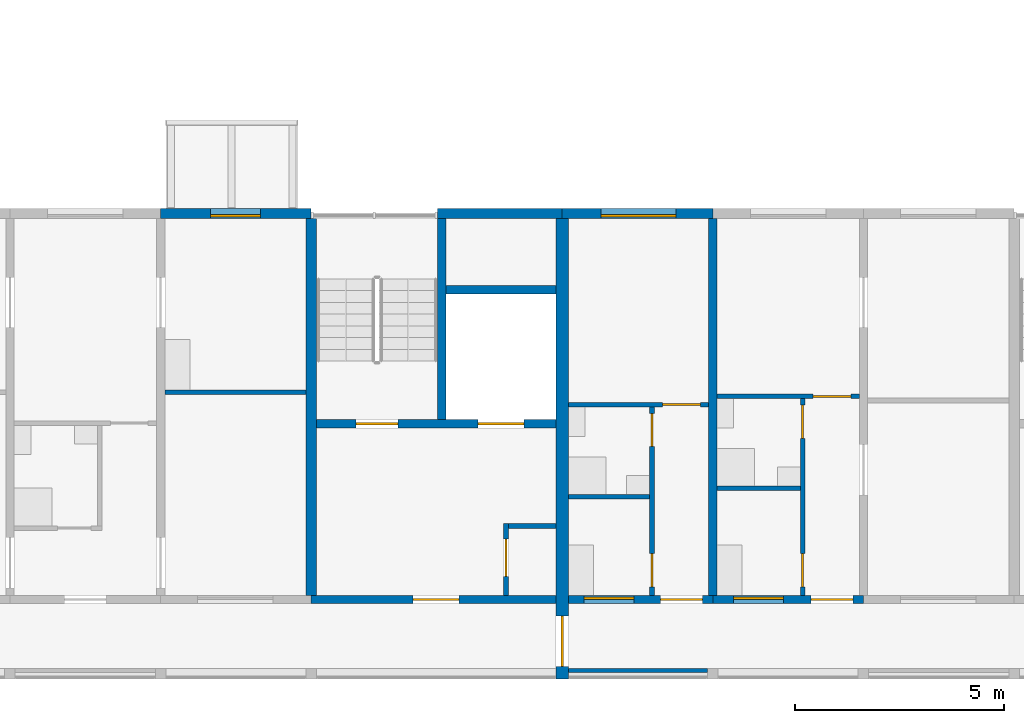
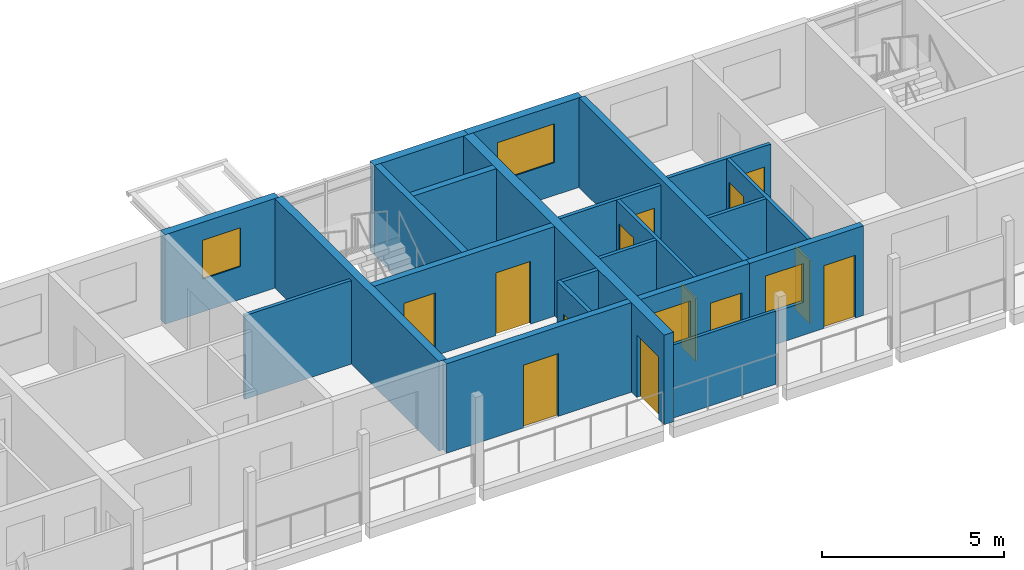
# One storey, part 50 of 87: 22 walls, 13 doors, 4 windows, 17 openings.
"""IFC4 building model written with IfcOpenShell, lengths in metres."""

import ifcopenshell
import ifcopenshell.guid

model = None  # the IFC model being written
_history = None  # IfcOwnerHistory: only IFC2X3 demands one
_inside = {}  # id of a spatial element -> (the spatial element, [elements in it])
_under = {}  # id of a project, library or spatial element -> (it, [spatial elements below it])
_declared = {}  # id of a project -> (the project, [libraries it declares])
_typed = {}  # id of a type object -> (the type object, [elements of that type])
_made_of = {}  # id of a material, layer set ... -> (it, [elements and type objects made of it])


def new_model(schema):
    """Start an empty IFC model of exactly this schema.

    Asked for "IFC4X3", IfcOpenShell would pick the latest addendum, in which some entities
    have other attributes; the version numbers below select the first issue.
    IFC2X3 requires an IfcOwnerHistory on every rooted entity: one is made here for all.
    """
    global model, _history
    if schema == "IFC4X3":
        model = ifcopenshell.file(schema_version=(4, 3, 0, 0))
    else:
        model = ifcopenshell.file(schema=schema)
    _inside.clear()
    _under.clear()
    _declared.clear()
    _typed.clear()
    _made_of.clear()
    _history = None
    if model.schema == "IFC2X3":
        org = make("IfcOrganization", Name="unknown")
        user = make(
            "IfcPersonAndOrganization",
            ThePerson=make("IfcPerson", FamilyName="unknown"),
            TheOrganization=org,
        )
        app = make(
            "IfcApplication",
            ApplicationDeveloper=org,
            Version="unknown",
            ApplicationFullName="unknown",
            ApplicationIdentifier="unknown",
        )
        _history = make(
            "IfcOwnerHistory",
            OwningUser=user,
            OwningApplication=app,
            ChangeAction="ADDED",
            CreationDate=0,
        )
    return model


def make(cls, **values):
    """One entity of the class cls with the attributes given. An attribute that is None is left unset."""
    return model.create_entity(
        cls, **{name: value for name, value in values.items() if value is not None}
    )


def rooted(cls, **values):
    """An entity with a GlobalId (a new one), such as an element, a storey or a relation."""
    return make(cls, GlobalId=ifcopenshell.guid.new(), OwnerHistory=_history, **values)


def si_unit(unit_type, name, prefix=None):
    """IfcSIUnit, for example si_unit("LENGTHUNIT", "METRE", prefix="MILLI")."""
    return make("IfcSIUnit", UnitType=unit_type, Prefix=prefix, Name=name)


def assignment(units):
    """IfcUnitAssignment: the units of a project."""
    return None if units is None else make("IfcUnitAssignment", Units=units)


def point(xyz):
    """IfcCartesianPoint."""
    return None if xyz is None else make("IfcCartesianPoint", Coordinates=xyz)


def direction(xyz):
    """IfcDirection."""
    return None if xyz is None else make("IfcDirection", DirectionRatios=xyz)


def frame(location, z_axis=None, x_axis=None):
    """IfcAxis2Placement3D, a coordinate frame: its origin and axes. An axis left out is left unset."""
    return make(
        "IfcAxis2Placement3D",
        Location=point(location),
        Axis=direction(z_axis),
        RefDirection=direction(x_axis),
    )


def frame_2d(location, x_axis=None):
    """IfcAxis2Placement2D, a coordinate frame in the plane: its origin and x axis."""
    return make(
        "IfcAxis2Placement2D", Location=point(location), RefDirection=direction(x_axis)
    )


def origin():
    """The frame at (0, 0, 0) with its axes left unset."""
    return frame((0.0, 0.0, 0.0))


def place(relative_to, where):
    """IfcLocalPlacement: puts the frame where relative to a parent placement (None: the world)."""
    return make(
        "IfcLocalPlacement", PlacementRelTo=relative_to, RelativePlacement=where
    )


def context(
    kind, dimensions, precision=None, world=None, true_north=None, identifier=None
):
    """IfcGeometricRepresentationContext, for example the 3D "Model" context."""
    return make(
        "IfcGeometricRepresentationContext",
        ContextIdentifier=identifier,
        ContextType=kind,
        CoordinateSpaceDimension=dimensions,
        Precision=precision,
        WorldCoordinateSystem=world,
        TrueNorth=true_north,
    )


def subcontext(parent, identifier, kind, view, scale=None):
    """IfcGeometricRepresentationSubContext, for example "Body" below "Model"."""
    return make(
        "IfcGeometricRepresentationSubContext",
        ContextIdentifier=identifier,
        ContextType=kind,
        ParentContext=parent,
        TargetScale=scale,
        TargetView=view,
    )


def project(units=None, contexts=None):
    """IfcProject with its units and contexts."""
    return rooted(
        "IfcProject",
        Name="project",
        RepresentationContexts=contexts,
        UnitsInContext=assignment(units),
    )


def spatial(cls, under=None, at=None, **own):
    """A site, building, storey or space (cls), placed at a placement, below another one or the project."""
    s = rooted(cls, ObjectPlacement=at, **own)
    if under is not None:
        _under.setdefault(under.id(), (under, []))[1].append(s)
    return s


def profile(cls, at=None, kind="AREA", **sizes):
    """A parametric profile (cls). Its sizes go by their IFC names, for example OverallWidth=200.0."""
    return make(cls, ProfileType=kind, Position=at, **sizes)


def rectangle(**sizes):
    """IfcRectangleProfileDef."""
    return profile("IfcRectangleProfileDef", **sizes)


def extrude(swept, where, along, depth):
    """IfcExtrudedAreaSolid: the profile swept, set in the frame where, extruded along a direction by depth."""
    return make(
        "IfcExtrudedAreaSolid",
        SweptArea=swept,
        Position=where,
        ExtrudedDirection=direction(along),
        Depth=depth,
    )


def shape(context_of_items, identifier, shape_type, items):
    """IfcShapeRepresentation: the items that make up one representation, for example the "Body"."""
    return make(
        "IfcShapeRepresentation",
        ContextOfItems=context_of_items,
        RepresentationIdentifier=identifier,
        RepresentationType=shape_type,
        Items=items,
    )


def material(Name=None, Category=None):
    """IfcMaterial."""
    return make("IfcMaterial", Name=Name, Category=Category)


def layer(
    of_material, thickness, ventilated=None, Name=None, Category=None, Priority=None
):
    """IfcMaterialLayer: one layer of a wall or slab, of a material (None: an air gap)."""
    return make(
        "IfcMaterialLayer",
        Material=of_material,
        LayerThickness=thickness,
        IsVentilated=ventilated,
        Name=Name,
        Category=Category,
        Priority=Priority,
    )


def layer_set(layers, Name=None):
    """IfcMaterialLayerSet."""
    return make("IfcMaterialLayerSet", MaterialLayers=layers, LayerSetName=Name)


def made_of(thing, what):
    """Note that an element or type object is made of a material, layer set ...; save() writes the relation."""
    if what is not None:
        _made_of.setdefault(what.id(), (what, []))[1].append(thing)
    return thing


def type_object(cls, material=None, **own):
    """A type object (cls), such as IfcWallType, which elements share."""
    return made_of(rooted(cls, **own), material)


def element(
    cls,
    number,
    at=None,
    inside=None,
    cuts=None,
    type_object=None,
    material=None,
    context=None,
    identifier="Body",
    shape_type=None,
    held_by="IfcProductDefinitionShape",
    body=None,
    shapes=None,
    **own,
):
    """One element of the class cls, such as IfcWall. Its Tag is "e" and its number.

    at: its placement. inside: the storey or other place that contains it. cuts: it is an
    opening in that element (IfcRelVoidsElement). A single representation is given by context,
    identifier, shape_type and body (its items); several are given by shapes. held_by: the class
    of the entity that holds the representations. save() writes the other relations.
    """
    e = rooted(cls, Tag="e%d" % number, ObjectPlacement=at, **own)
    if body is not None:
        shapes = [shape(context, identifier, shape_type, body)]
    if shapes is not None:
        e.Representation = make(held_by, Representations=shapes)
    if inside is not None:
        _inside.setdefault(inside.id(), (inside, []))[1].append(e)
    if cuts is not None:
        rooted(
            "IfcRelVoidsElement", RelatingBuildingElement=cuts, RelatedOpeningElement=e
        )
    if type_object is not None:
        _typed.setdefault(type_object.id(), (type_object, []))[1].append(e)
    return made_of(e, material)


def fill(opening, filler):
    """IfcRelFillsElement: the door or window that sits in an opening."""
    return rooted(
        "IfcRelFillsElement",
        RelatingOpeningElement=opening,
        RelatedBuildingElement=filler,
    )


def aggregate(whole, parts):
    """IfcRelAggregates: a whole, such as a stair, and the parts it consists of."""
    return rooted("IfcRelAggregates", RelatingObject=whole, RelatedObjects=parts)


def save(model, path):
    """Write the relations noted so far, then the file.

    IfcRelAggregates (storeys below a building ...), IfcRelContainedInSpatialStructure (elements
    in a storey), IfcRelDefinesByType, IfcRelAssociatesMaterial and IfcRelDeclares: one each for
    every whole, place, type object, material and project.
    """
    for whole, parts in _under.values():
        aggregate(whole, parts)
    for where, things in _inside.values():
        rooted(
            "IfcRelContainedInSpatialStructure",
            RelatedElements=things,
            RelatingStructure=where,
        )
    for kind, things in _typed.values():
        rooted("IfcRelDefinesByType", RelatedObjects=things, RelatingType=kind)
    for what, things in _made_of.values():
        rooted("IfcRelAssociatesMaterial", RelatedObjects=things, RelatingMaterial=what)
    for by, libraries in _declared.values():
        rooted("IfcRelDeclares", RelatingContext=by, RelatedDefinitions=libraries)
    model.write(path)


model = new_model("IFC4")

# Units and contexts
model_context = context("Model", 3, precision=1e-05, world=origin(), true_north=direction((0.0, 1.0)))
body_context = subcontext(model_context, "Body", "Model", "MODEL_VIEW")
ifc_project = project(units=[si_unit("LENGTHUNIT", "METRE"), si_unit("AREAUNIT", "SQUARE_METRE"), si_unit("VOLUMEUNIT", "CUBIC_METRE"), si_unit("PLANEANGLEUNIT", "RADIAN"), si_unit("MASSUNIT", "GRAM", prefix="KILO")], contexts=[model_context])

# Site, building, storey
site_placement = place(None, origin())
site = spatial("IfcSite", under=ifc_project, at=site_placement, CompositionType="ELEMENT")
building_placement = place(site_placement, origin())
building = spatial("IfcBuilding", under=site, at=building_placement, Name="Ridgestep Commons", CompositionType="ELEMENT")
storey_placement = place(building_placement, frame((0.0, 0.0, 27.0)))
storey = spatial("IfcBuildingStorey", under=building, at=storey_placement, Name="L09", CompositionType="ELEMENT", Elevation=27.0)

# Wall
ifc_material_1 = material(Name="Concrete C30/37", Category="concrete")
ifc_layer_1 = layer(ifc_material_1, 0.25)
ifc_layer_set_1 = layer_set([ifc_layer_1], Name="Core cross wall 250")
wall_type_1 = type_object("IfcWallType", Name="Core cross wall 250", PredefinedType="SHEAR", material=ifc_layer_set_1)
wall_1_placement = place(storey_placement, frame((191.199951171875, 13.75, 0.0), z_axis=(0.0, 0.0, 1.0), x_axis=(0.0, 1.0, 0.0)))
element("IfcWall", 1, at=wall_1_placement, inside=storey, type_object=wall_type_1, Name="Cross wall D-09-1912", PredefinedType="SHEAR", context=body_context, shape_type="SweptSolid", body=[
    extrude(rectangle(XDim=9.0, YDim=0.25, at=frame_2d((4.5, 0.0))), origin(), (0.0, 0.0, 1.0), 3.0),
])

# Wall, opening, door
ifc_material_2 = material(Name="Concrete C30/37", Category="concrete")
ifc_layer_2 = layer(ifc_material_2, 0.199951171875)
ifc_layer_set_2 = layer_set([ifc_layer_2], Name="Core south wall 200")
wall_type_2 = type_object("IfcWallType", Name="Core south wall 200", PredefinedType="SHEAR", material=ifc_layer_set_2)
wall_2_placement = place(storey_placement, frame((191.199951171875, 13.64990234375, 0.0), z_axis=(0.0, 0.0, 1.0), x_axis=(1.0, 0.0, 0.0)))
wall_2 = element("IfcWall", 2, at=wall_2_placement, inside=storey, type_object=wall_type_2, Name="Core south wall D3C L09", PredefinedType="SHEAR", context=body_context, shape_type="SweptSolid", body=[
    extrude(rectangle(XDim=5.85009765625, YDim=0.199951171875, at=frame_2d((2.925048828125, 0.0))), origin(), (0.0, 0.0, 1.0), 3.0),
])
opening_1_placement = place(wall_2_placement, frame((2.4375, 0.0, 0.0)))
opening_1 = element("IfcOpeningElement", 3, at=opening_1_placement, cuts=wall_2, Name="Opening D3C/09/1", PredefinedType="OPENING", context=body_context, shape_type="SweptSolid", body=[
    extrude(rectangle(XDim=1.10009765625, YDim=2.10009765625, at=frame_2d((0.550048828125, 1.050048828125))), frame((0.0, 0.10986328125, 0.0), z_axis=(0.0, -1.0, 0.0), x_axis=(1.0, 0.0, 0.0)), (0.0, 0.0, 1.0), 0.219970703125),
])
ifc_material_3 = material(Name="Steel fire door", Category="steel")
door_type_1 = type_object("IfcDoorType", Name="Lobby door 1100 x 2100 FD60", OperationType="NOTDEFINED", PredefinedType="DOOR", material=ifc_material_3)
door_1_placement = place(opening_1_placement, origin())
door_1 = element("IfcDoor", 4, at=door_1_placement, inside=storey, type_object=door_type_1, Name="Lobby door D3C/09/1", OperationType="SINGLE_SWING_LEFT", OverallHeight=2.10009765625, OverallWidth=1.10009765625, PredefinedType="DOOR", context=body_context, shape_type="SweptSolid", body=[
    extrude(rectangle(XDim=1.10009765625, YDim=2.10009765625, at=frame_2d((0.550048828125, 1.050048828125))), frame((0.0, 0.02490234375, 0.0), z_axis=(0.0, -1.0, 0.0), x_axis=(1.0, 0.0, 0.0)), (0.0, 0.0, 1.0), 0.050048828125),
])
fill(opening_1, door_1)

ifc_material_4 = material(Name="Concrete C30/37", Category="concrete")
ifc_layer_3 = layer(ifc_material_4, 0.1201171875)
ifc_layer_set_3 = layer_set([ifc_layer_3], Name="Core wall 120")
wall_type_3 = type_object("IfcWallType", Name="Core wall 120", PredefinedType="SHEAR", material=ifc_layer_set_3)
wall_3_placement = place(storey_placement, frame((195.860107421875, 13.75, 0.0), z_axis=(0.0, 0.0, 1.0), x_axis=(0.0, 1.0, 0.0)))
wall_3 = element("IfcWall", 5, at=wall_3_placement, inside=storey, type_object=wall_type_3, Name="Core riser w wall D3C L09", PredefinedType="SHEAR", context=body_context, shape_type="SweptSolid", body=[
    extrude(rectangle(XDim=1.719970703125, YDim=0.1201171875, at=frame_2d((0.85986328125, 0.0))), origin(), (0.0, 0.0, 1.0), 3.0),
])
opening_2_placement = place(wall_3_placement, frame((0.449951171875, 0.0, 0.0)))
opening_2 = element("IfcOpeningElement", 6, at=opening_2_placement, cuts=wall_3, Name="Opening D3C/09/4", PredefinedType="OPENING", context=body_context, shape_type="SweptSolid", body=[
    extrude(rectangle(XDim=0.89990234375, YDim=2.10009765625, at=frame_2d((0.449951171875, 1.050048828125))), frame((0.0, 0.070068359375, 0.0), z_axis=(0.0, -1.0, 0.0), x_axis=(1.0, 0.0, 0.0)), (0.0, 0.0, 1.0), 0.14013671875),
])
ifc_material_5 = material(Name="Steel fire door", Category="steel")
door_type_2 = type_object("IfcDoorType", Name="Riser door 900 x 2100 FD60", OperationType="NOTDEFINED", PredefinedType="DOOR", material=ifc_material_5)
door_2_placement = place(opening_2_placement, origin())
door_2 = element("IfcDoor", 7, at=door_2_placement, inside=storey, type_object=door_type_2, Name="Riser door D3C/09/4", OperationType="SINGLE_SWING_LEFT", OverallHeight=2.10009765625, OverallWidth=0.89990234375, PredefinedType="DOOR", context=body_context, shape_type="SweptSolid", body=[
    extrude(rectangle(XDim=0.89990234375, YDim=2.10009765625, at=frame_2d((0.449951171875, 1.050048828125))), frame((0.0, 0.02490234375, 0.0), z_axis=(0.0, -1.0, 0.0), x_axis=(1.0, 0.0, 0.0)), (0.0, 0.0, 1.0), 0.050048828125),
])
fill(opening_2, door_2)

# Wall
wall_4_placement = place(storey_placement, frame((195.919921875, 15.409912109375, 0.0), z_axis=(0.0, 0.0, 1.0), x_axis=(1.0, 0.0, 0.0)))
element("IfcWall", 8, at=wall_4_placement, inside=storey, type_object=wall_type_3, Name="Core riser n wall D3C L09", PredefinedType="SHEAR", context=body_context, shape_type="SweptSolid", body=[
    extrude(rectangle(XDim=1.130126953125, YDim=0.1201171875, at=frame_2d((0.56494140625, 0.0))), origin(), (0.0, 0.0, 1.0), 3.0),
])

# Wall, openings, doors
ifc_material_6 = material(Name="Concrete C30/37", Category="concrete")
ifc_layer_4 = layer(ifc_material_6, 0.199951171875)
ifc_layer_set_4 = layer_set([ifc_layer_4], Name="Core wall 200")
wall_type_4 = type_object("IfcWallType", Name="Core wall 200", PredefinedType="SHEAR", material=ifc_layer_set_4)
wall_5_placement = place(storey_placement, frame((191.324951171875, 17.85009765625, 0.0), z_axis=(0.0, 0.0, 1.0), x_axis=(1.0, 0.0, 0.0)))
wall_5 = element("IfcWall", 9, at=wall_5_placement, inside=storey, type_object=wall_type_4, Name="Core lobby wall D3C L09", PredefinedType="SHEAR", context=body_context, shape_type="SweptSolid", body=[
    extrude(rectangle(XDim=5.72509765625, YDim=0.199951171875, at=frame_2d((2.862548828125, 0.0))), origin(), (0.0, 0.0, 1.0), 3.0),
])
opening_3_placement = place(wall_5_placement, frame((0.949951171875, 0.0, 0.0)))
opening_3 = element("IfcOpeningElement", 10, at=opening_3_placement, cuts=wall_5, Name="Opening D3C/09/2", PredefinedType="OPENING", context=body_context, shape_type="SweptSolid", body=[
    extrude(rectangle(XDim=1.0, YDim=2.10009765625, at=frame_2d((0.5, 1.050048828125))), frame((0.0, 0.10986328125, 0.0), z_axis=(0.0, -1.0, 0.0), x_axis=(1.0, 0.0, 0.0)), (0.0, 0.0, 1.0), 0.219970703125),
])
opening_4_placement = place(wall_5_placement, frame((3.862548828125, 0.0, 0.0)))
opening_4 = element("IfcOpeningElement", 11, at=opening_4_placement, cuts=wall_5, Name="Opening D3C/09/3", PredefinedType="OPENING", context=body_context, shape_type="SweptSolid", body=[
    extrude(rectangle(XDim=1.10009765625, YDim=2.10009765625, at=frame_2d((0.550048828125, 1.050048828125))), frame((0.0, 0.10986328125, 0.0), z_axis=(0.0, -1.0, 0.0), x_axis=(1.0, 0.0, 0.0)), (0.0, 0.0, 1.0), 0.219970703125),
])
ifc_material_7 = material(Name="Stainless steel", Category="steel")
door_type_3 = type_object("IfcDoorType", Name="Lift landing door 1100 x 2100 FD60", OperationType="DOUBLE_DOOR_SLIDING", PredefinedType="DOOR", material=ifc_material_7)
door_3_placement = place(opening_4_placement, origin())
door_3 = element("IfcDoor", 12, at=door_3_placement, inside=storey, type_object=door_type_3, Name="Landing door LD D3C L09", OperationType="DOUBLE_DOOR_SLIDING", OverallHeight=2.10009765625, OverallWidth=1.10009765625, PredefinedType="DOOR", context=body_context, shape_type="SweptSolid", body=[
    extrude(rectangle(XDim=1.10009765625, YDim=2.10009765625, at=frame_2d((0.550048828125, 1.050048828125))), frame((0.0, 0.02490234375, 0.0), z_axis=(0.0, -1.0, 0.0), x_axis=(1.0, 0.0, 0.0)), (0.0, 0.0, 1.0), 0.050048828125),
])
fill(opening_4, door_3)
ifc_material_8 = material(Name="Steel fire door", Category="steel")
door_type_4 = type_object("IfcDoorType", Name="Stair door 1000 x 2100 FD60", OperationType="NOTDEFINED", PredefinedType="DOOR", material=ifc_material_8)
door_4_placement = place(opening_3_placement, origin())
door_4 = element("IfcDoor", 13, at=door_4_placement, inside=storey, type_object=door_type_4, Name="Stair door D3C/09/2", OperationType="SINGLE_SWING_RIGHT", OverallHeight=2.10009765625, OverallWidth=1.0, PredefinedType="DOOR", context=body_context, shape_type="SweptSolid", body=[
    extrude(rectangle(XDim=1.0, YDim=2.10009765625, at=frame_2d((0.5, 1.050048828125))), frame((0.0, 0.02490234375, 0.0), z_axis=(0.0, -1.0, 0.0), x_axis=(1.0, 0.0, 0.0)), (0.0, 0.0, 1.0), 0.050048828125),
])
fill(opening_3, door_4)

# Walls
wall_6_placement = place(storey_placement, frame((194.324951171875, 17.949951171875, 0.0), z_axis=(0.0, 0.0, 1.0), x_axis=(0.0, 1.0, 0.0)))
element("IfcWall", 14, at=wall_6_placement, inside=storey, type_object=wall_type_4, Name="Core stair wall D3C L09", PredefinedType="SHEAR", context=body_context, shape_type="SweptSolid", body=[
    extrude(rectangle(XDim=4.800048828125, YDim=0.199951171875, at=frame_2d((2.39990234375, 0.0))), origin(), (0.0, 0.0, 1.0), 3.0),
])
wall_7_placement = place(storey_placement, frame((194.425048828125, 21.050048828125, 0.0), z_axis=(0.0, 0.0, 1.0), x_axis=(1.0, 0.0, 0.0)))
element("IfcWall", 15, at=wall_7_placement, inside=storey, type_object=wall_type_4, Name="Core duct wall D3C L09", PredefinedType="SHEAR", context=body_context, shape_type="SweptSolid", body=[
    extrude(rectangle(XDim=2.625, YDim=0.199951171875, at=frame_2d((1.3125, 0.0))), origin(), (0.0, 0.0, 1.0), 3.0),
])
ifc_material_9 = material(Name="Precast concrete C40/50", Category="concrete")
ifc_layer_5 = layer(ifc_material_9, 0.199951171875)
ifc_layer_set_5 = layer_set([ifc_layer_5], Name="Cross wall 200")
wall_type_5 = type_object("IfcWallType", Name="Cross wall 200", PredefinedType="SHEAR", material=ifc_layer_set_5)
wall_8_placement = place(storey_placement, frame((200.800048828125, 13.75, 0.0), z_axis=(0.0, 0.0, 1.0), x_axis=(0.0, 1.0, 0.0)))
element("IfcWall", 16, at=wall_8_placement, inside=storey, type_object=wall_type_5, Name="Cross wall D-09-2008", PredefinedType="SHEAR", context=body_context, shape_type="SweptSolid", body=[
    extrude(rectangle(XDim=9.0, YDim=0.199951171875, at=frame_2d((4.5, 0.0))), origin(), (0.0, 0.0, 1.0), 3.0),
])

# Wall, opening, door
ifc_material_10 = material(Name="Precast concrete C40/50", Category="concrete")
ifc_layer_6 = layer(ifc_material_10, 0.300048828125)
ifc_layer_set_6 = layer_set([ifc_layer_6], Name="Division wall 300")
wall_type_6 = type_object("IfcWallType", Name="Division wall 300", PredefinedType="SHEAR", material=ifc_layer_set_6)
wall_9_placement = place(storey_placement, frame((197.199951171875, 11.75, 0.0), z_axis=(0.0, 0.0, 1.0), x_axis=(0.0, 1.0, 0.0)))
wall_9 = element("IfcWall", 17, at=wall_9_placement, inside=storey, type_object=wall_type_6, Name="Cross wall D-09-1972", PredefinedType="SHEAR", context=body_context, shape_type="SweptSolid", body=[
    extrude(rectangle(XDim=11.0, YDim=0.300048828125, at=frame_2d((5.5, 0.0))), origin(), (0.0, 0.0, 1.0), 3.0),
])
opening_5_placement = place(wall_9_placement, frame((0.300048828125, 0.0, 0.0)))
opening_5 = element("IfcOpeningElement", 18, at=opening_5_placement, cuts=wall_9, Name="Opening D/09/G1972", PredefinedType="OPENING", context=body_context, shape_type="SweptSolid", body=[
    extrude(rectangle(XDim=1.199951171875, YDim=2.10009765625, at=frame_2d((0.60009765625, 1.050048828125))), frame((0.0, 0.159912109375, 0.0), z_axis=(0.0, -1.0, 0.0), x_axis=(1.0, 0.0, 0.0)), (0.0, 0.0, 1.0), 0.320068359375),
])
ifc_material_11 = material(Name="Steel fire door", Category="steel")
door_type_5 = type_object("IfcDoorType", Name="Division fire door 1200 x 2100 EI 240", OperationType="DOUBLE_DOOR_SINGLE_SWING", PredefinedType="DOOR", material=ifc_material_11)
door_5_placement = place(opening_5_placement, origin())
door_5 = element("IfcDoor", 19, at=door_5_placement, inside=storey, type_object=door_type_5, Name="Division fire door D/09/G1972", OperationType="DOUBLE_DOOR_SINGLE_SWING", OverallHeight=2.10009765625, OverallWidth=1.199951171875, PredefinedType="DOOR", context=body_context, shape_type="SweptSolid", body=[
    extrude(rectangle(XDim=1.199951171875, YDim=2.10009765625, at=frame_2d((0.60009765625, 1.050048828125))), frame((0.0, 0.02490234375, 0.0), z_axis=(0.0, -1.0, 0.0), x_axis=(1.0, 0.0, 0.0)), (0.0, 0.0, 1.0), 0.050048828125),
])
fill(opening_5, door_5)

# Wall, opening, window
ifc_material_12 = material(Name="Precast concrete C40/50", Category="concrete")
ifc_layer_7 = layer(ifc_material_12, 0.25)
ifc_layer_set_7 = layer_set([ifc_layer_7], Name="North facade panel 250")
wall_type_7 = type_object("IfcWallType", Name="North facade panel 250", PredefinedType="SOLIDWALL", material=ifc_layer_set_7)
wall_10_placement = place(storey_placement, frame((187.60009765625, 22.875, 0.0), z_axis=(0.0, 0.0, 1.0), x_axis=(1.0, 0.0, 0.0)))
wall_10 = element("IfcWall", 20, at=wall_10_placement, inside=storey, type_object=wall_type_7, Name="North panel D3T3 L09", PredefinedType="SOLIDWALL", context=body_context, shape_type="SweptSolid", body=[
    extrude(rectangle(XDim=3.599853515625, YDim=0.25, at=frame_2d((1.7998046875, 0.0))), origin(), (0.0, 0.0, 1.0), 3.0),
])
opening_6_placement = place(wall_10_placement, frame((1.1875, 0.0, 1.10009765625)))
opening_6 = element("IfcOpeningElement", 21, at=opening_6_placement, cuts=wall_10, Name="Opening W08", PredefinedType="OPENING", context=body_context, shape_type="SweptSolid", body=[
    extrude(rectangle(XDim=1.199951171875, YDim=1.300048828125, at=frame_2d((0.60009765625, 0.64990234375))), frame((0.0, 0.135009765625, 0.0), z_axis=(0.0, -1.0, 0.0), x_axis=(1.0, 0.0, 0.0)), (0.0, 0.0, 1.0), 0.27001953125),
])
ifc_material_13 = material(Name="Aluminium 6063-T6 and glass", Category="aluminium")
window_type_1 = type_object("IfcWindowType", Name="Flat window 1200 x 1300", PartitioningType="SINGLE_PANEL", PredefinedType="WINDOW", material=ifc_material_13)
window_1_placement = place(opening_6_placement, origin())
window_1 = element("IfcWindow", 22, at=window_1_placement, inside=storey, type_object=window_type_1, Name="Window D3-09a 4", OverallHeight=1.300048828125, OverallWidth=1.199951171875, PartitioningType="SINGLE_PANEL", PredefinedType="WINDOW", context=body_context, shape_type="SweptSolid", body=[
    extrude(rectangle(XDim=1.199951171875, YDim=1.300048828125, at=frame_2d((0.60009765625, 0.64990234375))), frame((0.0, -0.02490234375, 0.0), z_axis=(0.0, -1.0, 0.0), x_axis=(1.0, 0.0, 0.0)), (0.0, 0.0, 1.0), 0.06005859375),
])
fill(opening_6, window_1)

# Wall
wall_11_placement = place(storey_placement, frame((194.22509765625, 22.875, 0.0), z_axis=(0.0, 0.0, 1.0), x_axis=(1.0, 0.0, 0.0)))
element("IfcWall", 23, at=wall_11_placement, inside=storey, type_object=wall_type_7, Name="North panel D3C L09", PredefinedType="SOLIDWALL", context=body_context, shape_type="SweptSolid", body=[
    extrude(rectangle(XDim=2.974853515625, YDim=0.25, at=frame_2d((1.4873046875, 0.0))), origin(), (0.0, 0.0, 1.0), 3.0),
])

# Wall, opening, window
wall_12_placement = place(storey_placement, frame((197.199951171875, 22.875, 0.0), z_axis=(0.0, 0.0, 1.0), x_axis=(1.0, 0.0, 0.0)))
wall_12 = element("IfcWall", 24, at=wall_12_placement, inside=storey, type_object=wall_type_7, Name="North panel D4T1 L09", PredefinedType="SOLIDWALL", context=body_context, shape_type="SweptSolid", body=[
    extrude(rectangle(XDim=3.60009765625, YDim=0.25, at=frame_2d((1.800048828125, 0.0))), origin(), (0.0, 0.0, 1.0), 3.0),
])
opening_7_placement = place(wall_12_placement, frame((0.925048828125, 0.0, 1.10009765625)))
opening_7 = element("IfcOpeningElement", 25, at=opening_7_placement, cuts=wall_12, Name="Opening W18", PredefinedType="OPENING", context=body_context, shape_type="SweptSolid", body=[
    extrude(rectangle(XDim=1.800048828125, YDim=1.300048828125, at=frame_2d((0.89990234375, 0.64990234375))), frame((0.0, 0.135009765625, 0.0), z_axis=(0.0, -1.0, 0.0), x_axis=(1.0, 0.0, 0.0)), (0.0, 0.0, 1.0), 0.27001953125),
])
ifc_material_14 = material(Name="Aluminium 6063-T6 and glass", Category="aluminium")
window_type_2 = type_object("IfcWindowType", Name="Flat window 1800 x 1300", PartitioningType="DOUBLE_PANEL_VERTICAL", PredefinedType="WINDOW", material=ifc_material_14)
window_2_placement = place(opening_7_placement, origin())
window_2 = element("IfcWindow", 26, at=window_2_placement, inside=storey, type_object=window_type_2, Name="Window D4-09a 2", OverallHeight=1.300048828125, OverallWidth=1.800048828125, PartitioningType="SINGLE_PANEL", PredefinedType="WINDOW", context=body_context, shape_type="SweptSolid", body=[
    extrude(rectangle(XDim=1.800048828125, YDim=1.300048828125, at=frame_2d((0.89990234375, 0.64990234375))), frame((0.0, -0.02490234375, 0.0), z_axis=(0.0, -1.0, 0.0), x_axis=(1.0, 0.0, 0.0)), (0.0, 0.0, 1.0), 0.06005859375),
])
fill(opening_7, window_2)

# Walls
ifc_material_15 = material(Name="Common brick 110 mm", Category="masonry")
ifc_layer_8 = layer(ifc_material_15, 0.110107421875)
ifc_layer_set_8 = layer_set([ifc_layer_8], Name="Partition 110")
wall_type_8 = type_object("IfcWallType", Name="Partition 110", PredefinedType="PARTITIONING", material=ifc_layer_set_8)
wall_13_placement = place(storey_placement, frame((187.699951171875, 18.60498046875, 0.0), z_axis=(0.0, 0.0, 1.0), x_axis=(1.0, 0.0, 0.0)))
element("IfcWall", 27, at=wall_13_placement, inside=storey, type_object=wall_type_8, Name="Partition D3-09a", PredefinedType="PARTITIONING", context=body_context, shape_type="SweptSolid", body=[
    extrude(rectangle(XDim=3.375, YDim=0.110107421875, at=frame_2d((1.6875, 0.0))), origin(), (0.0, 0.0, 1.0), 2.800048828125),
])
wall_14_placement = place(storey_placement, frame((197.35009765625, 16.10498046875, 0.0), z_axis=(0.0, 0.0, 1.0), x_axis=(1.0, 0.0, 0.0)))
element("IfcWall", 28, at=wall_14_placement, inside=storey, type_object=wall_type_8, Name="Partition D4-09a", PredefinedType="PARTITIONING", context=body_context, shape_type="SweptSolid", body=[
    extrude(rectangle(XDim=1.93994140625, YDim=0.110107421875, at=frame_2d((0.969970703125, 0.0))), origin(), (0.0, 0.0, 1.0), 2.800048828125),
])

# Wall, openings, doors
wall_15_placement = place(storey_placement, frame((199.344970703125, 13.75, 0.0), z_axis=(0.0, 0.0, 1.0), x_axis=(0.0, 1.0, 0.0)))
wall_15 = element("IfcWall", 29, at=wall_15_placement, inside=storey, type_object=wall_type_8, Name="Partition D4-09a", PredefinedType="PARTITIONING", context=body_context, shape_type="SweptSolid", body=[
    extrude(rectangle(XDim=4.5, YDim=0.110107421875, at=frame_2d((2.25, 0.0))), origin(), (0.0, 0.0, 1.0), 2.800048828125),
])
opening_8_placement = place(wall_15_placement, frame((0.199951171875, 0.0, 0.0)))
opening_8 = element("IfcOpeningElement", 30, at=opening_8_placement, cuts=wall_15, Name="Opening D4-09a/2", PredefinedType="OPENING", context=body_context, shape_type="SweptSolid", body=[
    extrude(rectangle(XDim=0.800048828125, YDim=2.10009765625, at=frame_2d((0.39990234375, 1.050048828125))), frame((0.0, 0.06494140625, 0.0), z_axis=(0.0, -1.0, 0.0), x_axis=(1.0, 0.0, 0.0)), (0.0, 0.0, 1.0), 0.130126953125),
])
opening_9_placement = place(wall_15_placement, frame((3.550048828125, 0.0, 0.0)))
opening_9 = element("IfcOpeningElement", 31, at=opening_9_placement, cuts=wall_15, Name="Opening D4-09a/3", PredefinedType="OPENING", context=body_context, shape_type="SweptSolid", body=[
    extrude(rectangle(XDim=0.800048828125, YDim=2.10009765625, at=frame_2d((0.39990234375, 1.050048828125))), frame((0.0, 0.06494140625, 0.0), z_axis=(0.0, -1.0, 0.0), x_axis=(1.0, 0.0, 0.0)), (0.0, 0.0, 1.0), 0.130126953125),
])
ifc_material_16 = material(Name="Timber door leaf", Category="wood")
door_type_6 = type_object("IfcDoorType", Name="Internal door 800 x 2100", OperationType="NOTDEFINED", PredefinedType="DOOR", material=ifc_material_16)
door_6_placement = place(opening_8_placement, origin())
door_6 = element("IfcDoor", 32, at=door_6_placement, inside=storey, type_object=door_type_6, Name="Internal door D4-09a/2", OperationType="SINGLE_SWING_LEFT", OverallHeight=2.10009765625, OverallWidth=0.800048828125, PredefinedType="DOOR", context=body_context, shape_type="SweptSolid", body=[
    extrude(rectangle(XDim=0.800048828125, YDim=2.10009765625, at=frame_2d((0.39990234375, 1.050048828125))), frame((0.0, 0.02490234375, 0.0), z_axis=(0.0, -1.0, 0.0), x_axis=(1.0, 0.0, 0.0)), (0.0, 0.0, 1.0), 0.050048828125),
])
fill(opening_8, door_6)
door_7_placement = place(opening_9_placement, origin())
door_7 = element("IfcDoor", 33, at=door_7_placement, inside=storey, type_object=door_type_6, Name="Internal door D4-09a/3", OperationType="SINGLE_SWING_RIGHT", OverallHeight=2.10009765625, OverallWidth=0.800048828125, PredefinedType="DOOR", context=body_context, shape_type="SweptSolid", body=[
    extrude(rectangle(XDim=0.800048828125, YDim=2.10009765625, at=frame_2d((0.39990234375, 1.050048828125))), frame((0.0, 0.02490234375, 0.0), z_axis=(0.0, -1.0, 0.0), x_axis=(1.0, 0.0, 0.0)), (0.0, 0.0, 1.0), 0.050048828125),
])
fill(opening_9, door_7)

# Wall, opening, door
wall_16_placement = place(storey_placement, frame((197.35009765625, 18.304931640625, 0.0), z_axis=(0.0, 0.0, 1.0), x_axis=(1.0, 0.0, 0.0)))
wall_16 = element("IfcWall", 34, at=wall_16_placement, inside=storey, type_object=wall_type_8, Name="Partition D4-09a", PredefinedType="PARTITIONING", context=body_context, shape_type="SweptSolid", body=[
    extrude(rectangle(XDim=3.349853515625, YDim=0.110107421875, at=frame_2d((1.6748046875, 0.0))), origin(), (0.0, 0.0, 1.0), 2.800048828125),
])
opening_10_placement = place(wall_16_placement, frame((2.25, 0.0, 0.0)))
opening_10 = element("IfcOpeningElement", 35, at=opening_10_placement, cuts=wall_16, Name="Opening D4-09a/4", PredefinedType="OPENING", context=body_context, shape_type="SweptSolid", body=[
    extrude(rectangle(XDim=0.89990234375, YDim=2.10009765625, at=frame_2d((0.449951171875, 1.050048828125))), frame((0.0, 0.06494140625, 0.0), z_axis=(0.0, -1.0, 0.0), x_axis=(1.0, 0.0, 0.0)), (0.0, 0.0, 1.0), 0.130126953125),
])
ifc_material_17 = material(Name="Timber door leaf", Category="wood")
door_type_7 = type_object("IfcDoorType", Name="Internal door 900 x 2100", OperationType="NOTDEFINED", PredefinedType="DOOR", material=ifc_material_17)
door_8_placement = place(opening_10_placement, origin())
door_8 = element("IfcDoor", 36, at=door_8_placement, inside=storey, type_object=door_type_7, Name="Internal door D4-09a/4", OperationType="SINGLE_SWING_LEFT", OverallHeight=2.10009765625, OverallWidth=0.89990234375, PredefinedType="DOOR", context=body_context, shape_type="SweptSolid", body=[
    extrude(rectangle(XDim=0.89990234375, YDim=2.10009765625, at=frame_2d((0.449951171875, 1.050048828125))), frame((0.0, 0.02490234375, 0.0), z_axis=(0.0, -1.0, 0.0), x_axis=(1.0, 0.0, 0.0)), (0.0, 0.0, 1.0), 0.050048828125),
])
fill(opening_10, door_8)

# Wall
wall_17_placement = place(storey_placement, frame((200.89990234375, 16.304931640625, 0.0), z_axis=(0.0, 0.0, 1.0), x_axis=(1.0, 0.0, 0.0)))
element("IfcWall", 37, at=wall_17_placement, inside=storey, type_object=wall_type_8, Name="Partition D4-09b", PredefinedType="PARTITIONING", context=body_context, shape_type="SweptSolid", body=[
    extrude(rectangle(XDim=1.989990234375, YDim=0.110107421875, at=frame_2d((0.9951171875, 0.0))), origin(), (0.0, 0.0, 1.0), 2.800048828125),
])

# Wall, openings, doors
wall_18_placement = place(storey_placement, frame((202.945068359375, 13.75, 0.0), z_axis=(0.0, 0.0, 1.0), x_axis=(0.0, 1.0, 0.0)))
wall_18 = element("IfcWall", 38, at=wall_18_placement, inside=storey, type_object=wall_type_8, Name="Partition D4-09b", PredefinedType="PARTITIONING", context=body_context, shape_type="SweptSolid", body=[
    extrude(rectangle(XDim=4.699951171875, YDim=0.110107421875, at=frame_2d((2.35009765625, 0.0))), origin(), (0.0, 0.0, 1.0), 2.800048828125),
])
opening_11_placement = place(wall_18_placement, frame((0.199951171875, 0.0, 0.0)))
opening_11 = element("IfcOpeningElement", 39, at=opening_11_placement, cuts=wall_18, Name="Opening D4-09b/2", PredefinedType="OPENING", context=body_context, shape_type="SweptSolid", body=[
    extrude(rectangle(XDim=0.800048828125, YDim=2.10009765625, at=frame_2d((0.39990234375, 1.050048828125))), frame((0.0, 0.06494140625, 0.0), z_axis=(0.0, -1.0, 0.0), x_axis=(1.0, 0.0, 0.0)), (0.0, 0.0, 1.0), 0.130126953125),
])
opening_12_placement = place(wall_18_placement, frame((3.75, 0.0, 0.0)))
opening_12 = element("IfcOpeningElement", 40, at=opening_12_placement, cuts=wall_18, Name="Opening D4-09b/3", PredefinedType="OPENING", context=body_context, shape_type="SweptSolid", body=[
    extrude(rectangle(XDim=0.800048828125, YDim=2.10009765625, at=frame_2d((0.39990234375, 1.050048828125))), frame((0.0, 0.06494140625, 0.0), z_axis=(0.0, -1.0, 0.0), x_axis=(1.0, 0.0, 0.0)), (0.0, 0.0, 1.0), 0.130126953125),
])
door_9_placement = place(opening_11_placement, origin())
door_9 = element("IfcDoor", 41, at=door_9_placement, inside=storey, type_object=door_type_6, Name="Internal door D4-09b/2", OperationType="SINGLE_SWING_LEFT", OverallHeight=2.10009765625, OverallWidth=0.800048828125, PredefinedType="DOOR", context=body_context, shape_type="SweptSolid", body=[
    extrude(rectangle(XDim=0.800048828125, YDim=2.10009765625, at=frame_2d((0.39990234375, 1.050048828125))), frame((0.0, 0.02490234375, 0.0), z_axis=(0.0, -1.0, 0.0), x_axis=(1.0, 0.0, 0.0)), (0.0, 0.0, 1.0), 0.050048828125),
])
fill(opening_11, door_9)
door_10_placement = place(opening_12_placement, origin())
door_10 = element("IfcDoor", 42, at=door_10_placement, inside=storey, type_object=door_type_6, Name="Internal door D4-09b/3", OperationType="SINGLE_SWING_RIGHT", OverallHeight=2.10009765625, OverallWidth=0.800048828125, PredefinedType="DOOR", context=body_context, shape_type="SweptSolid", body=[
    extrude(rectangle(XDim=0.800048828125, YDim=2.10009765625, at=frame_2d((0.39990234375, 1.050048828125))), frame((0.0, 0.02490234375, 0.0), z_axis=(0.0, -1.0, 0.0), x_axis=(1.0, 0.0, 0.0)), (0.0, 0.0, 1.0), 0.050048828125),
])
fill(opening_12, door_10)

# Wall, opening, door
wall_19_placement = place(storey_placement, frame((200.89990234375, 18.5048828125, 0.0), z_axis=(0.0, 0.0, 1.0), x_axis=(1.0, 0.0, 0.0)))
wall_19 = element("IfcWall", 43, at=wall_19_placement, inside=storey, type_object=wall_type_8, Name="Partition D4-09b", PredefinedType="PARTITIONING", context=body_context, shape_type="SweptSolid", body=[
    extrude(rectangle(XDim=3.400146484375, YDim=0.110107421875, at=frame_2d((1.7001953125, 0.0))), origin(), (0.0, 0.0, 1.0), 2.800048828125),
])
opening_13_placement = place(wall_19_placement, frame((2.300048828125, 0.0, 0.0)))
opening_13 = element("IfcOpeningElement", 44, at=opening_13_placement, cuts=wall_19, Name="Opening D4-09b/4", PredefinedType="OPENING", context=body_context, shape_type="SweptSolid", body=[
    extrude(rectangle(XDim=0.89990234375, YDim=2.10009765625, at=frame_2d((0.449951171875, 1.050048828125))), frame((0.0, 0.06494140625, 0.0), z_axis=(0.0, -1.0, 0.0), x_axis=(1.0, 0.0, 0.0)), (0.0, 0.0, 1.0), 0.130126953125),
])
door_11_placement = place(opening_13_placement, origin())
door_11 = element("IfcDoor", 45, at=door_11_placement, inside=storey, type_object=door_type_7, Name="Internal door D4-09b/4", OperationType="SINGLE_SWING_LEFT", OverallHeight=2.10009765625, OverallWidth=0.89990234375, PredefinedType="DOOR", context=body_context, shape_type="SweptSolid", body=[
    extrude(rectangle(XDim=0.89990234375, YDim=2.10009765625, at=frame_2d((0.449951171875, 1.050048828125))), frame((0.0, 0.02490234375, 0.0), z_axis=(0.0, -1.0, 0.0), x_axis=(1.0, 0.0, 0.0)), (0.0, 0.0, 1.0), 0.050048828125),
])
fill(opening_13, door_11)

# Wall
ifc_material_18 = material(Name="Precast concrete C30/37", Category="concrete")
ifc_layer_9 = layer(ifc_material_18, 0.10009765625)
ifc_layer_set_9 = layer_set([ifc_layer_9], Name="Perforated gallery screen 3325 x 2450 x 100")
wall_type_9 = type_object("IfcWallType", Name="Perforated gallery screen 3325 x 2450 x 100", PredefinedType="SOLIDWALL", material=ifc_layer_set_9)
wall_20_placement = place(storey_placement, frame((197.35009765625, 11.949951171875, 0.0), z_axis=(0.0, 0.0, 1.0), x_axis=(1.0, 0.0, 0.0)))
element("IfcWall", 46, at=wall_20_placement, inside=storey, type_object=wall_type_9, Name="Gallery screen D4T1 09", PredefinedType="SOLIDWALL", context=body_context, shape_type="SweptSolid", body=[
    extrude(rectangle(XDim=3.324951171875, YDim=0.10009765625, at=frame_2d((1.66259765625, 0.0))), origin(), (0.0, 0.0, 1.0), 2.449951171875),
])

# Wall, openings, door, window
ifc_material_19 = material(Name="Precast concrete C40/50", Category="concrete")
ifc_layer_10 = layer(ifc_material_19, 0.199951171875)
ifc_layer_set_10 = layer_set([ifc_layer_10], Name="South facade panel 200")
wall_type_10 = type_object("IfcWallType", Name="South facade panel 200", PredefinedType="SOLIDWALL", material=ifc_layer_set_10)
wall_21_placement = place(storey_placement, frame((197.35009765625, 13.64990234375, 0.0), z_axis=(0.0, 0.0, 1.0), x_axis=(1.0, 0.0, 0.0)))
wall_21 = element("IfcWall", 47, at=wall_21_placement, inside=storey, type_object=wall_type_10, Name="South panel D4T1 L09", PredefinedType="SOLIDWALL", context=body_context, shape_type="SweptSolid", body=[
    extrude(rectangle(XDim=3.449951171875, YDim=0.199951171875, at=frame_2d((1.72509765625, 0.0))), origin(), (0.0, 0.0, 1.0), 3.0),
])
opening_14_placement = place(wall_21_placement, frame((0.3701171875, 0.0, 1.10009765625)))
opening_14 = element("IfcOpeningElement", 48, at=opening_14_placement, cuts=wall_21, Name="Opening W08", PredefinedType="OPENING", context=body_context, shape_type="SweptSolid", body=[
    extrude(rectangle(XDim=1.199951171875, YDim=1.300048828125, at=frame_2d((0.60009765625, 0.64990234375))), frame((0.0, 0.10986328125, 0.0), z_axis=(0.0, -1.0, 0.0), x_axis=(1.0, 0.0, 0.0)), (0.0, 0.0, 1.0), 0.219970703125),
])
opening_15_placement = place(wall_21_placement, frame((2.199951171875, 0.0, 0.0)))
opening_15 = element("IfcOpeningElement", 49, at=opening_15_placement, cuts=wall_21, Name="Opening D4-09a/1", PredefinedType="OPENING", context=body_context, shape_type="SweptSolid", body=[
    extrude(rectangle(XDim=1.0, YDim=2.10009765625, at=frame_2d((0.5, 1.050048828125))), frame((0.0, 0.10986328125, 0.0), z_axis=(0.0, -1.0, 0.0), x_axis=(1.0, 0.0, 0.0)), (0.0, 0.0, 1.0), 0.219970703125),
])
ifc_material_20 = material(Name="Timber door leaf", Category="wood")
door_type_8 = type_object("IfcDoorType", Name="Flat entrance door 1000 x 2100 FD30S", OperationType="NOTDEFINED", PredefinedType="DOOR", material=ifc_material_20)
door_12_placement = place(opening_15_placement, origin())
door_12 = element("IfcDoor", 50, at=door_12_placement, inside=storey, type_object=door_type_8, Name="Flat entrance door D4-09a/1", OperationType="SINGLE_SWING_RIGHT", OverallHeight=2.10009765625, OverallWidth=1.0, PredefinedType="DOOR", context=body_context, shape_type="SweptSolid", body=[
    extrude(rectangle(XDim=1.0, YDim=2.10009765625, at=frame_2d((0.5, 1.050048828125))), frame((0.0, 0.02490234375, 0.0), z_axis=(0.0, -1.0, 0.0), x_axis=(1.0, 0.0, 0.0)), (0.0, 0.0, 1.0), 0.050048828125),
])
fill(opening_15, door_12)
window_3_placement = place(opening_14_placement, origin())
window_3 = element("IfcWindow", 51, at=window_3_placement, inside=storey, type_object=window_type_1, Name="Window D4-09a 1", OverallHeight=1.300048828125, OverallWidth=1.199951171875, PartitioningType="SINGLE_PANEL", PredefinedType="WINDOW", context=body_context, shape_type="SweptSolid", body=[
    extrude(rectangle(XDim=1.199951171875, YDim=1.300048828125, at=frame_2d((0.60009765625, 0.64990234375))), frame((0.0, 0.06005859375, 0.0), z_axis=(0.0, -1.0, 0.0), x_axis=(1.0, 0.0, 0.0)), (0.0, 0.0, 1.0), 0.06005859375),
])
fill(opening_14, window_3)

wall_22_placement = place(storey_placement, frame((200.800048828125, 13.64990234375, 0.0), z_axis=(0.0, 0.0, 1.0), x_axis=(1.0, 0.0, 0.0)))
wall_22 = element("IfcWall", 52, at=wall_22_placement, inside=storey, type_object=wall_type_10, Name="South panel D4T2 L09", PredefinedType="SOLIDWALL", context=body_context, shape_type="SweptSolid", body=[
    extrude(rectangle(XDim=3.599853515625, YDim=0.199951171875, at=frame_2d((1.7998046875, 0.0))), origin(), (0.0, 0.0, 1.0), 3.0),
])
opening_16_placement = place(wall_22_placement, frame((0.4951171875, 0.0, 1.10009765625)))
opening_16 = element("IfcOpeningElement", 53, at=opening_16_placement, cuts=wall_22, Name="Opening W08", PredefinedType="OPENING", context=body_context, shape_type="SweptSolid", body=[
    extrude(rectangle(XDim=1.199951171875, YDim=1.300048828125, at=frame_2d((0.60009765625, 0.64990234375))), frame((0.0, 0.10986328125, 0.0), z_axis=(0.0, -1.0, 0.0), x_axis=(1.0, 0.0, 0.0)), (0.0, 0.0, 1.0), 0.219970703125),
])
opening_17_placement = place(wall_22_placement, frame((2.35009765625, 0.0, 0.0)))
opening_17 = element("IfcOpeningElement", 54, at=opening_17_placement, cuts=wall_22, Name="Opening D4-09b/1", PredefinedType="OPENING", context=body_context, shape_type="SweptSolid", body=[
    extrude(rectangle(XDim=1.0, YDim=2.10009765625, at=frame_2d((0.5, 1.050048828125))), frame((0.0, 0.10986328125, 0.0), z_axis=(0.0, -1.0, 0.0), x_axis=(1.0, 0.0, 0.0)), (0.0, 0.0, 1.0), 0.219970703125),
])
door_13_placement = place(opening_17_placement, origin())
door_13 = element("IfcDoor", 55, at=door_13_placement, inside=storey, type_object=door_type_8, Name="Flat entrance door D4-09b/1", OperationType="SINGLE_SWING_RIGHT", OverallHeight=2.10009765625, OverallWidth=1.0, PredefinedType="DOOR", context=body_context, shape_type="SweptSolid", body=[
    extrude(rectangle(XDim=1.0, YDim=2.10009765625, at=frame_2d((0.5, 1.050048828125))), frame((0.0, 0.02490234375, 0.0), z_axis=(0.0, -1.0, 0.0), x_axis=(1.0, 0.0, 0.0)), (0.0, 0.0, 1.0), 0.050048828125),
])
fill(opening_17, door_13)
window_4_placement = place(opening_16_placement, origin())
window_4 = element("IfcWindow", 56, at=window_4_placement, inside=storey, type_object=window_type_1, Name="Window D4-09b 3", OverallHeight=1.300048828125, OverallWidth=1.199951171875, PartitioningType="SINGLE_PANEL", PredefinedType="WINDOW", context=body_context, shape_type="SweptSolid", body=[
    extrude(rectangle(XDim=1.199951171875, YDim=1.300048828125, at=frame_2d((0.60009765625, 0.64990234375))), frame((0.0, 0.06005859375, 0.0), z_axis=(0.0, -1.0, 0.0), x_axis=(1.0, 0.0, 0.0)), (0.0, 0.0, 1.0), 0.06005859375),
])
fill(opening_16, window_4)

save(model, "model.ifc")
